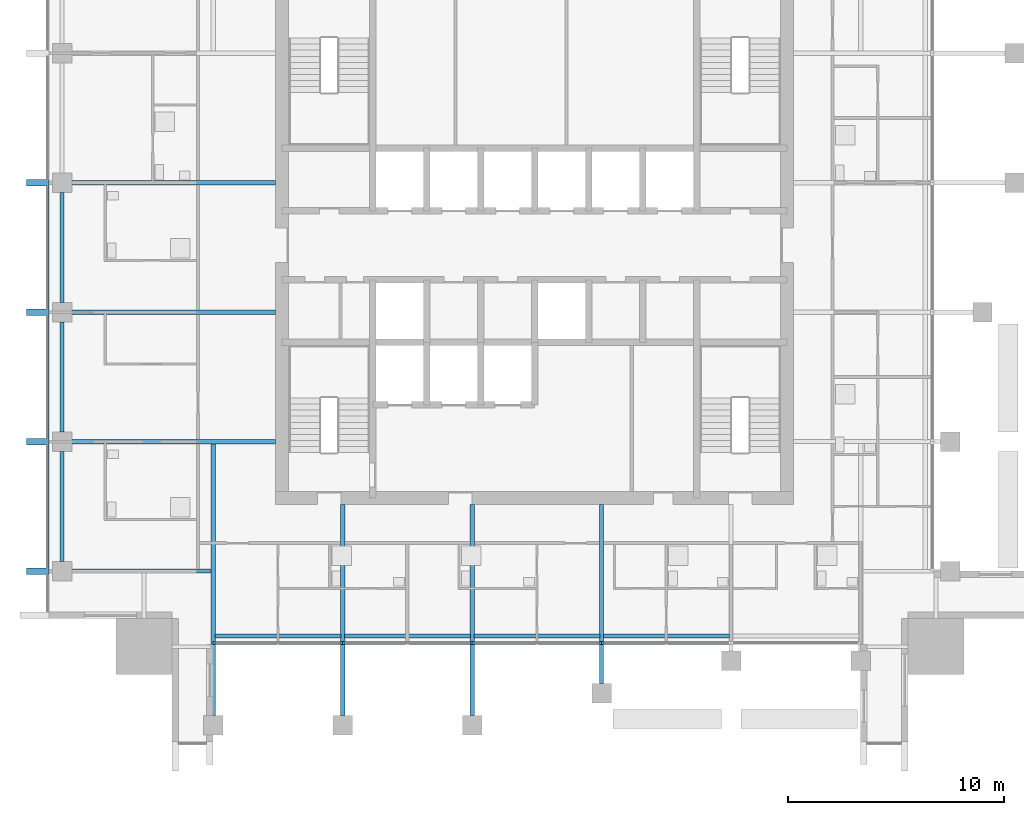
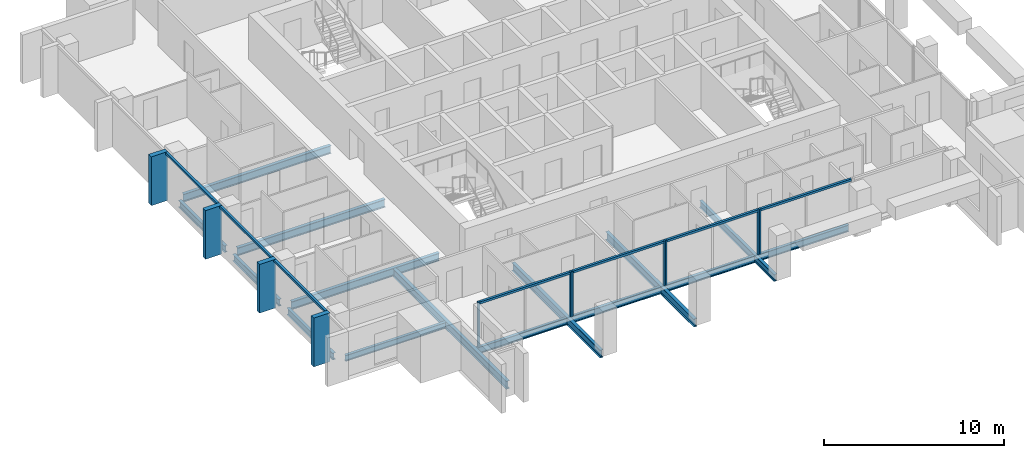
# One storey, part 2 of 14: 18 members, 15 beams, 5 elements without a shape of their own.
"""IFC4 building model written with IfcOpenShell, lengths in metres."""

import ifcopenshell
import ifcopenshell.guid

model = None  # the IFC model being written
_history = None  # IfcOwnerHistory: only IFC2X3 demands one
_inside = {}  # id of a spatial element -> (the spatial element, [elements in it])
_under = {}  # id of a project, library or spatial element -> (it, [spatial elements below it])
_declared = {}  # id of a project -> (the project, [libraries it declares])
_typed = {}  # id of a type object -> (the type object, [elements of that type])
_made_of = {}  # id of a material, layer set ... -> (it, [elements and type objects made of it])


def new_model(schema):
    """Start an empty IFC model of exactly this schema.

    Asked for "IFC4X3", IfcOpenShell would pick the latest addendum, in which some entities
    have other attributes; the version numbers below select the first issue.
    IFC2X3 requires an IfcOwnerHistory on every rooted entity: one is made here for all.
    """
    global model, _history
    if schema == "IFC4X3":
        model = ifcopenshell.file(schema_version=(4, 3, 0, 0))
    else:
        model = ifcopenshell.file(schema=schema)
    _inside.clear()
    _under.clear()
    _declared.clear()
    _typed.clear()
    _made_of.clear()
    _history = None
    if model.schema == "IFC2X3":
        org = make("IfcOrganization", Name="unknown")
        user = make(
            "IfcPersonAndOrganization",
            ThePerson=make("IfcPerson", FamilyName="unknown"),
            TheOrganization=org,
        )
        app = make(
            "IfcApplication",
            ApplicationDeveloper=org,
            Version="unknown",
            ApplicationFullName="unknown",
            ApplicationIdentifier="unknown",
        )
        _history = make(
            "IfcOwnerHistory",
            OwningUser=user,
            OwningApplication=app,
            ChangeAction="ADDED",
            CreationDate=0,
        )
    return model


def make(cls, **values):
    """One entity of the class cls with the attributes given. An attribute that is None is left unset."""
    return model.create_entity(
        cls, **{name: value for name, value in values.items() if value is not None}
    )


def rooted(cls, **values):
    """An entity with a GlobalId (a new one), such as an element, a storey or a relation."""
    return make(cls, GlobalId=ifcopenshell.guid.new(), OwnerHistory=_history, **values)


def si_unit(unit_type, name, prefix=None):
    """IfcSIUnit, for example si_unit("LENGTHUNIT", "METRE", prefix="MILLI")."""
    return make("IfcSIUnit", UnitType=unit_type, Prefix=prefix, Name=name)


def assignment(units):
    """IfcUnitAssignment: the units of a project."""
    return None if units is None else make("IfcUnitAssignment", Units=units)


def point(xyz):
    """IfcCartesianPoint."""
    return None if xyz is None else make("IfcCartesianPoint", Coordinates=xyz)


def direction(xyz):
    """IfcDirection."""
    return None if xyz is None else make("IfcDirection", DirectionRatios=xyz)


def frame(location, z_axis=None, x_axis=None):
    """IfcAxis2Placement3D, a coordinate frame: its origin and axes. An axis left out is left unset."""
    return make(
        "IfcAxis2Placement3D",
        Location=point(location),
        Axis=direction(z_axis),
        RefDirection=direction(x_axis),
    )


def frame_2d(location, x_axis=None):
    """IfcAxis2Placement2D, a coordinate frame in the plane: its origin and x axis."""
    return make(
        "IfcAxis2Placement2D", Location=point(location), RefDirection=direction(x_axis)
    )


def origin():
    """The frame at (0, 0, 0) with its axes left unset."""
    return frame((0.0, 0.0, 0.0))


def origin_2d():
    """The frame at (0, 0) in the plane with its x axis left unset."""
    return frame_2d((0.0, 0.0))


def place(relative_to, where):
    """IfcLocalPlacement: puts the frame where relative to a parent placement (None: the world)."""
    return make(
        "IfcLocalPlacement", PlacementRelTo=relative_to, RelativePlacement=where
    )


def context(
    kind, dimensions, precision=None, world=None, true_north=None, identifier=None
):
    """IfcGeometricRepresentationContext, for example the 3D "Model" context."""
    return make(
        "IfcGeometricRepresentationContext",
        ContextIdentifier=identifier,
        ContextType=kind,
        CoordinateSpaceDimension=dimensions,
        Precision=precision,
        WorldCoordinateSystem=world,
        TrueNorth=true_north,
    )


def subcontext(parent, identifier, kind, view, scale=None):
    """IfcGeometricRepresentationSubContext, for example "Body" below "Model"."""
    return make(
        "IfcGeometricRepresentationSubContext",
        ContextIdentifier=identifier,
        ContextType=kind,
        ParentContext=parent,
        TargetScale=scale,
        TargetView=view,
    )


def project(units=None, contexts=None):
    """IfcProject with its units and contexts."""
    return rooted(
        "IfcProject",
        Name="project",
        RepresentationContexts=contexts,
        UnitsInContext=assignment(units),
    )


def spatial(cls, under=None, at=None, **own):
    """A site, building, storey or space (cls), placed at a placement, below another one or the project."""
    s = rooted(cls, ObjectPlacement=at, **own)
    if under is not None:
        _under.setdefault(under.id(), (under, []))[1].append(s)
    return s


def profile(cls, at=None, kind="AREA", **sizes):
    """A parametric profile (cls). Its sizes go by their IFC names, for example OverallWidth=200.0."""
    return make(cls, ProfileType=kind, Position=at, **sizes)


def rectangle(**sizes):
    """IfcRectangleProfileDef."""
    return profile("IfcRectangleProfileDef", **sizes)


def i_section(**sizes):
    """IfcIShapeProfileDef."""
    return profile("IfcIShapeProfileDef", **sizes)


def extrude(swept, where, along, depth):
    """IfcExtrudedAreaSolid: the profile swept, set in the frame where, extruded along a direction by depth."""
    return make(
        "IfcExtrudedAreaSolid",
        SweptArea=swept,
        Position=where,
        ExtrudedDirection=direction(along),
        Depth=depth,
    )


def shape(context_of_items, identifier, shape_type, items):
    """IfcShapeRepresentation: the items that make up one representation, for example the "Body"."""
    return make(
        "IfcShapeRepresentation",
        ContextOfItems=context_of_items,
        RepresentationIdentifier=identifier,
        RepresentationType=shape_type,
        Items=items,
    )


def material(Name=None, Category=None):
    """IfcMaterial."""
    return make("IfcMaterial", Name=Name, Category=Category)


def material_profile(
    of_material, cross_section, Name=None, Category=None, Priority=None
):
    """IfcMaterialProfile: a cross section and its material."""
    return make(
        "IfcMaterialProfile",
        Name=Name,
        Material=of_material,
        Profile=cross_section,
        Priority=Priority,
        Category=Category,
    )


def profile_set(profiles, Name=None, composite=None):
    """IfcMaterialProfileSet."""
    return make(
        "IfcMaterialProfileSet",
        Name=Name,
        MaterialProfiles=profiles,
        CompositeProfile=composite,
    )


def made_of(thing, what):
    """Note that an element or type object is made of a material, layer set ...; save() writes the relation."""
    if what is not None:
        _made_of.setdefault(what.id(), (what, []))[1].append(thing)
    return thing


def type_object(cls, material=None, **own):
    """A type object (cls), such as IfcWallType, which elements share."""
    return made_of(rooted(cls, **own), material)


def element(
    cls,
    number,
    at=None,
    inside=None,
    cuts=None,
    type_object=None,
    material=None,
    context=None,
    identifier="Body",
    shape_type=None,
    held_by="IfcProductDefinitionShape",
    body=None,
    shapes=None,
    **own,
):
    """One element of the class cls, such as IfcWall. Its Tag is "e" and its number.

    at: its placement. inside: the storey or other place that contains it. cuts: it is an
    opening in that element (IfcRelVoidsElement). A single representation is given by context,
    identifier, shape_type and body (its items); several are given by shapes. held_by: the class
    of the entity that holds the representations. save() writes the other relations.
    """
    e = rooted(cls, Tag="e%d" % number, ObjectPlacement=at, **own)
    if body is not None:
        shapes = [shape(context, identifier, shape_type, body)]
    if shapes is not None:
        e.Representation = make(held_by, Representations=shapes)
    if inside is not None:
        _inside.setdefault(inside.id(), (inside, []))[1].append(e)
    if cuts is not None:
        rooted(
            "IfcRelVoidsElement", RelatingBuildingElement=cuts, RelatedOpeningElement=e
        )
    if type_object is not None:
        _typed.setdefault(type_object.id(), (type_object, []))[1].append(e)
    return made_of(e, material)


def aggregate(whole, parts):
    """IfcRelAggregates: a whole, such as a stair, and the parts it consists of."""
    return rooted("IfcRelAggregates", RelatingObject=whole, RelatedObjects=parts)


def save(model, path):
    """Write the relations noted so far, then the file.

    IfcRelAggregates (storeys below a building ...), IfcRelContainedInSpatialStructure (elements
    in a storey), IfcRelDefinesByType, IfcRelAssociatesMaterial and IfcRelDeclares: one each for
    every whole, place, type object, material and project.
    """
    for whole, parts in _under.values():
        aggregate(whole, parts)
    for where, things in _inside.values():
        rooted(
            "IfcRelContainedInSpatialStructure",
            RelatedElements=things,
            RelatingStructure=where,
        )
    for kind, things in _typed.values():
        rooted("IfcRelDefinesByType", RelatedObjects=things, RelatingType=kind)
    for what, things in _made_of.values():
        rooted("IfcRelAssociatesMaterial", RelatedObjects=things, RelatingMaterial=what)
    for by, libraries in _declared.values():
        rooted("IfcRelDeclares", RelatingContext=by, RelatedDefinitions=libraries)
    model.write(path)


model = new_model("IFC4")

# Units and contexts
model_context = context("Model", 3, precision=1e-05, world=origin(), true_north=direction((0.0, 1.0)))
body_context = subcontext(model_context, "Body", "Model", "MODEL_VIEW")
ifc_project = project(units=[si_unit("LENGTHUNIT", "METRE"), si_unit("AREAUNIT", "SQUARE_METRE"), si_unit("VOLUMEUNIT", "CUBIC_METRE"), si_unit("PLANEANGLEUNIT", "RADIAN"), si_unit("MASSUNIT", "GRAM", prefix="KILO")], contexts=[model_context])

# Site, building, storey
site_placement = place(None, origin())
site = spatial("IfcSite", under=ifc_project, at=site_placement, CompositionType="ELEMENT")
building_placement = place(site_placement, origin())
building = spatial("IfcBuilding", under=site, at=building_placement, Name="Amberfall Residences", CompositionType="ELEMENT")
storey_placement = place(building_placement, frame((0.0, 0.0, 220.0)))
storey = spatial("IfcBuildingStorey", under=building, at=storey_placement, Name="L59", CompositionType="ELEMENT", Elevation=220.0)

# Curtain wall, members
ifc_material_1 = material(Name="Bronze anodised aluminium and glass", Category="aluminium")
curtain_wall_type_1 = type_object("IfcCurtainWallType", Name="Curtain wall CW1 tower unit", PredefinedType="USERDEFINED", material=ifc_material_1)
curtain_wall_1_placement = place(storey_placement, origin())
curtain_wall_1 = element("IfcCurtainWall", 1, at=curtain_wall_1_placement, inside=storey, type_object=curtain_wall_type_1, Name="Curtain wall L59 W W1", ObjectType="UNITISED CURTAIN WALL", PredefinedType="USERDEFINED")
ifc_material_2 = material(Name="Bronze anodised aluminium", Category="aluminium")
ifc_material_profile_1 = material_profile(ifc_material_2, rectangle(XDim=0.14990234375, YDim=0.14990234375, at=origin_2d()), Name="CW1 transom 150 x 150 bronze")
ifc_profile_set_1 = profile_set([ifc_material_profile_1], Name="Bronze anodised aluminium")
member_type_1 = type_object("IfcMemberType", Name="CW1 transom 150 x 150 bronze", PredefinedType="USERDEFINED", material=ifc_profile_set_1)
member_1_placement = place(storey_placement, frame((51.925048828125, 48.25, 2.97509765625), z_axis=(0.0, -1.0, 0.0), x_axis=(1.0, 0.0, 0.0)))
member_1 = element("IfcMember", 2, at=member_1_placement, type_object=member_type_1, Name="CW1 transom 4.1", ObjectType="TRANSOM", PredefinedType="USERDEFINED", context=body_context, shape_type="SweptSolid", body=[
    extrude(rectangle(XDim=0.14990234375, YDim=0.14990234375, at=origin_2d()), origin(), (0.0, 0.0, 1.0), 5.699951171875),
])
member_2_placement = place(storey_placement, frame((51.925048828125, 42.25, 2.97509765625), z_axis=(0.0, -1.0, 0.0), x_axis=(1.0, 0.0, 0.0)))
member_2 = element("IfcMember", 3, at=member_2_placement, type_object=member_type_1, Name="CW1 transom 5.1", ObjectType="TRANSOM", PredefinedType="USERDEFINED", context=body_context, shape_type="SweptSolid", body=[
    extrude(rectangle(XDim=0.14990234375, YDim=0.14990234375, at=origin_2d()), origin(), (0.0, 0.0, 1.0), 5.699951171875),
])
member_3_placement = place(storey_placement, frame((51.925048828125, 36.25, 2.97509765625), z_axis=(0.0, -1.0, 0.0), x_axis=(1.0, 0.0, 0.0)))
member_3 = element("IfcMember", 4, at=member_3_placement, type_object=member_type_1, Name="CW1 transom 6.1", ObjectType="TRANSOM", PredefinedType="USERDEFINED", context=body_context, shape_type="SweptSolid", body=[
    extrude(rectangle(XDim=0.14990234375, YDim=0.14990234375, at=origin_2d()), origin(), (0.0, 0.0, 1.0), 5.699951171875),
])

curtain_wall_type_2 = type_object("IfcCurtainWallType", Name="Curtain wall CW3 sky garden glazing", PredefinedType="USERDEFINED", material=ifc_material_1)
curtain_wall_2_placement = place(storey_placement, origin())
curtain_wall_2 = element("IfcCurtainWall", 5, at=curtain_wall_2_placement, inside=storey, type_object=curtain_wall_type_2, Name="Curtain wall L59 S S3", ObjectType="UNITISED CURTAIN WALL", PredefinedType="USERDEFINED")
ifc_material_profile_2 = material_profile(ifc_material_2, rectangle(XDim=0.14990234375, YDim=0.10009765625, at=origin_2d()), Name="CW3 mullion 100 x 150 bronze")
ifc_profile_set_2 = profile_set([ifc_material_profile_2], Name="Bronze anodised aluminium")
member_type_2 = type_object("IfcMemberType", Name="CW3 mullion 100 x 150 bronze", PredefinedType="MULLION", material=ifc_profile_set_2)
member_4_placement = place(storey_placement, frame((59.64990234375, 27.074951171875, 0.0), z_axis=(0.0, 0.0, 1.0), x_axis=(0.0, 1.0, 0.0)))
member_4 = element("IfcMember", 6, at=member_4_placement, type_object=member_type_2, Name="CW3 mullion 1", PredefinedType="MULLION", context=body_context, shape_type="SweptSolid", body=[
    extrude(rectangle(XDim=0.14990234375, YDim=0.10009765625, at=origin_2d()), origin(), (0.0, 0.0, 1.0), 3.050048828125),
])
member_5_placement = place(storey_placement, frame((65.550048828125, 27.074951171875, 0.0), z_axis=(0.0, 0.0, 1.0), x_axis=(0.0, 1.0, 0.0)))
member_5 = element("IfcMember", 7, at=member_5_placement, type_object=member_type_2, Name="CW3 mullion 2", PredefinedType="MULLION", context=body_context, shape_type="SweptSolid", body=[
    extrude(rectangle(XDim=0.14990234375, YDim=0.10009765625, at=origin_2d()), origin(), (0.0, 0.0, 1.0), 3.050048828125),
])

curtain_wall_3_placement = place(storey_placement, origin())
curtain_wall_3 = element("IfcCurtainWall", 8, at=curtain_wall_3_placement, inside=storey, type_object=curtain_wall_type_2, Name="Curtain wall L59 S S4", ObjectType="UNITISED CURTAIN WALL", PredefinedType="USERDEFINED")
member_6_placement = place(storey_placement, frame((65.64990234375, 27.074951171875, 0.0), z_axis=(0.0, 0.0, 1.0), x_axis=(0.0, 1.0, 0.0)))
member_6 = element("IfcMember", 9, at=member_6_placement, type_object=member_type_2, Name="CW3 mullion 1", PredefinedType="MULLION", context=body_context, shape_type="SweptSolid", body=[
    extrude(rectangle(XDim=0.14990234375, YDim=0.10009765625, at=origin_2d()), origin(), (0.0, 0.0, 1.0), 3.050048828125),
])
member_7_placement = place(storey_placement, frame((71.550048828125, 27.074951171875, 0.0), z_axis=(0.0, 0.0, 1.0), x_axis=(0.0, 1.0, 0.0)))
member_7 = element("IfcMember", 10, at=member_7_placement, type_object=member_type_2, Name="CW3 mullion 2", PredefinedType="MULLION", context=body_context, shape_type="SweptSolid", body=[
    extrude(rectangle(XDim=0.14990234375, YDim=0.10009765625, at=origin_2d()), origin(), (0.0, 0.0, 1.0), 3.050048828125),
])

curtain_wall_4_placement = place(storey_placement, origin())
curtain_wall_4 = element("IfcCurtainWall", 11, at=curtain_wall_4_placement, inside=storey, type_object=curtain_wall_type_2, Name="Curtain wall L59 S S5", ObjectType="UNITISED CURTAIN WALL", PredefinedType="USERDEFINED")
member_8_placement = place(storey_placement, frame((71.64990234375, 27.074951171875, 0.0), z_axis=(0.0, 0.0, 1.0), x_axis=(0.0, 1.0, 0.0)))
member_8 = element("IfcMember", 12, at=member_8_placement, type_object=member_type_2, Name="CW3 mullion 1", PredefinedType="MULLION", context=body_context, shape_type="SweptSolid", body=[
    extrude(rectangle(XDim=0.14990234375, YDim=0.10009765625, at=origin_2d()), origin(), (0.0, 0.0, 1.0), 3.050048828125),
])
member_9_placement = place(storey_placement, frame((77.550048828125, 27.074951171875, 0.0), z_axis=(0.0, 0.0, 1.0), x_axis=(0.0, 1.0, 0.0)))
member_9 = element("IfcMember", 13, at=member_9_placement, type_object=member_type_2, Name="CW3 mullion 2", PredefinedType="MULLION", context=body_context, shape_type="SweptSolid", body=[
    extrude(rectangle(XDim=0.14990234375, YDim=0.10009765625, at=origin_2d()), origin(), (0.0, 0.0, 1.0), 3.050048828125),
])

# Curtain wall, member
curtain_wall_5_placement = place(storey_placement, origin())
curtain_wall_5 = element("IfcCurtainWall", 14, at=curtain_wall_5_placement, inside=storey, type_object=curtain_wall_type_2, Name="Curtain wall L59 S S6", ObjectType="UNITISED CURTAIN WALL", PredefinedType="USERDEFINED")
member_10_placement = place(storey_placement, frame((77.64990234375, 27.074951171875, 0.0), z_axis=(0.0, 0.0, 1.0), x_axis=(0.0, 1.0, 0.0)))
member_10 = element("IfcMember", 15, at=member_10_placement, type_object=member_type_2, Name="CW3 mullion 1", PredefinedType="MULLION", context=body_context, shape_type="SweptSolid", body=[
    extrude(rectangle(XDim=0.14990234375, YDim=0.10009765625, at=origin_2d()), origin(), (0.0, 0.0, 1.0), 3.050048828125),
])

# Member
ifc_material_profile_3 = material_profile(ifc_material_2, rectangle(XDim=0.14990234375, YDim=0.14990234375, at=origin_2d()), Name="CW3 transom 150 x 150 bronze")
ifc_profile_set_3 = profile_set([ifc_material_profile_3], Name="Bronze anodised aluminium")
member_type_3 = type_object("IfcMemberType", Name="CW3 transom 150 x 150 bronze", PredefinedType="USERDEFINED", material=ifc_profile_set_3)
member_11_placement = place(storey_placement, frame((59.699951171875, 27.074951171875, 2.97509765625), z_axis=(1.0, 0.0, 0.0), x_axis=(0.0, 1.0, 0.0)))
member_11 = element("IfcMember", 16, at=member_11_placement, type_object=member_type_3, Name="CW3 transom 1.1", ObjectType="TRANSOM", PredefinedType="USERDEFINED", context=body_context, shape_type="SweptSolid", body=[
    extrude(rectangle(XDim=0.14990234375, YDim=0.14990234375, at=origin_2d()), origin(), (0.0, 0.0, 1.0), 5.800048828125),
])

aggregate(curtain_wall_2, [member_4, member_5, member_11])

member_12_placement = place(storey_placement, frame((65.699951171875, 27.074951171875, 2.97509765625), z_axis=(1.0, 0.0, 0.0), x_axis=(0.0, 1.0, 0.0)))
member_12 = element("IfcMember", 17, at=member_12_placement, type_object=member_type_3, Name="CW3 transom 1.1", ObjectType="TRANSOM", PredefinedType="USERDEFINED", context=body_context, shape_type="SweptSolid", body=[
    extrude(rectangle(XDim=0.14990234375, YDim=0.14990234375, at=origin_2d()), origin(), (0.0, 0.0, 1.0), 5.800048828125),
])

aggregate(curtain_wall_3, [member_6, member_7, member_12])

member_13_placement = place(storey_placement, frame((71.699951171875, 27.074951171875, 2.97509765625), z_axis=(1.0, 0.0, 0.0), x_axis=(0.0, 1.0, 0.0)))
member_13 = element("IfcMember", 18, at=member_13_placement, type_object=member_type_3, Name="CW3 transom 1.1", ObjectType="TRANSOM", PredefinedType="USERDEFINED", context=body_context, shape_type="SweptSolid", body=[
    extrude(rectangle(XDim=0.14990234375, YDim=0.14990234375, at=origin_2d()), origin(), (0.0, 0.0, 1.0), 5.800048828125),
])

aggregate(curtain_wall_4, [member_8, member_9, member_13])

member_14_placement = place(storey_placement, frame((77.699951171875, 27.074951171875, 2.97509765625), z_axis=(1.0, 0.0, 0.0), x_axis=(0.0, 1.0, 0.0)))
member_14 = element("IfcMember", 19, at=member_14_placement, type_object=member_type_3, Name="CW3 transom 1.1", ObjectType="TRANSOM", PredefinedType="USERDEFINED", context=body_context, shape_type="SweptSolid", body=[
    extrude(rectangle(XDim=0.14990234375, YDim=0.14990234375, at=origin_2d()), origin(), (0.0, 0.0, 1.0), 5.800048828125),
])

aggregate(curtain_wall_5, [member_10, member_14])

# Beams
ifc_material_3 = material(Name="Steel S355", Category="steel")
ifc_material_profile_4 = material_profile(ifc_material_3, i_section(OverallWidth=0.18994140625, OverallDepth=0.453369140625, WebThickness=0.008544921875, FlangeThickness=0.0126953125, FilletRadius=0.01025390625, at=origin_2d()), Name="UB 457x191x67")
ifc_profile_set_4 = profile_set([ifc_material_profile_4], Name="Steel S355")
beam_type_1 = type_object("IfcBeamType", Name="Edge beam UB 457x191x67", PredefinedType="SPANDREL", material=ifc_profile_set_4)
for number, where, z_axis, x_axis, name in (
    (20, (59.679931640625, 27.39990234375, -0.476806640625), (1.0, 0.0, 0.0), (0.0, 1.0, 0.0), "Edge beam B1 L59 01"),
    (21, (65.679931640625, 27.39990234375, -0.476806640625), (1.0, 0.0, 0.0), (0.0, 1.0, 0.0), "Edge beam B1 L59 02"),
    (22, (71.679931640625, 27.39990234375, -0.476806640625), (1.0, 0.0, 0.0), (0.0, 1.0, 0.0), "Edge beam B1 L59 03"),
    (23, (77.679931640625, 27.39990234375, -0.476806640625), (1.0, 0.0, 0.0), (0.0, 1.0, 0.0), "Edge beam B1 L59 04"),
):
    element("IfcBeam", number, at=place(storey_placement, frame(where, z_axis=z_axis, x_axis=x_axis)), inside=storey, type_object=beam_type_1, Name=name, PredefinedType="SPANDREL", context=body_context, shape_type="SweptSolid", body=[
        extrude(i_section(OverallWidth=0.18994140625, OverallDepth=0.453369140625, WebThickness=0.008544921875, FlangeThickness=0.0126953125, FilletRadius=0.01025390625, at=origin_2d()), origin(), (0.0, 0.0, 1.0), 5.840087890625),
    ])
for number, where, z_axis, x_axis, name in (
    (24, (52.60009765625, 30.85009765625, -0.476806640625), (0.0, 1.0, 0.0), (-1.0, 0.0, 0.0), "Edge beam B1 L59 34"),
    (25, (52.60009765625, 36.85009765625, -0.476806640625), (0.0, 1.0, 0.0), (-1.0, 0.0, 0.0), "Edge beam B1 L59 35"),
    (26, (52.60009765625, 42.85009765625, -0.476806640625), (0.0, 1.0, 0.0), (-1.0, 0.0, 0.0), "Edge beam B1 L59 36"),
):
    element("IfcBeam", number, at=place(storey_placement, frame(where, z_axis=z_axis, x_axis=x_axis)), inside=storey, type_object=beam_type_1, Name=name, PredefinedType="SPANDREL", context=body_context, shape_type="SweptSolid", body=[
        extrude(i_section(OverallWidth=0.18994140625, OverallDepth=0.453369140625, WebThickness=0.008544921875, FlangeThickness=0.0126953125, FilletRadius=0.01025390625, at=origin_2d()), origin(), (0.0, 0.0, 1.0), 5.099853515625),
    ])

# Member
ifc_material_profile_5 = material_profile(ifc_material_2, rectangle(XDim=1.050048828125, YDim=0.300048828125, at=origin_2d()), Name="Fin 300 x 1050 bronze")
ifc_profile_set_5 = profile_set([ifc_material_profile_5], Name="Bronze anodised aluminium")
member_type_4 = type_object("IfcMemberType", Name="Fin 300 x 1050 bronze", PredefinedType="MULLION", material=ifc_profile_set_5)
member_15_placement = place(storey_placement, frame((51.47509765625, 48.39990234375, -0.25), z_axis=(0.0, 0.0, 1.0), x_axis=(1.0, 0.0, 0.0)))
member_15 = element("IfcMember", 27, at=member_15_placement, type_object=member_type_4, Name="CW FIN 4", PredefinedType="MULLION", context=body_context, shape_type="SweptSolid", body=[
    extrude(rectangle(XDim=1.050048828125, YDim=0.300048828125, at=origin_2d()), origin(), (0.0, 0.0, 1.0), 3.300048828125),
])

member_16_placement = place(storey_placement, frame((51.47509765625, 42.39990234375, -0.25), z_axis=(0.0, 0.0, 1.0), x_axis=(1.0, 0.0, 0.0)))
member_16 = element("IfcMember", 28, at=member_16_placement, type_object=member_type_4, Name="CW FIN 5", PredefinedType="MULLION", context=body_context, shape_type="SweptSolid", body=[
    extrude(rectangle(XDim=1.050048828125, YDim=0.300048828125, at=origin_2d()), origin(), (0.0, 0.0, 1.0), 3.300048828125),
])

member_17_placement = place(storey_placement, frame((51.47509765625, 36.39990234375, -0.25), z_axis=(0.0, 0.0, 1.0), x_axis=(1.0, 0.0, 0.0)))
member_17 = element("IfcMember", 29, at=member_17_placement, type_object=member_type_4, Name="CW FIN 6", PredefinedType="MULLION", context=body_context, shape_type="SweptSolid", body=[
    extrude(rectangle(XDim=1.050048828125, YDim=0.300048828125, at=origin_2d()), origin(), (0.0, 0.0, 1.0), 3.300048828125),
])

member_18_placement = place(storey_placement, frame((51.47509765625, 30.39990234375, -0.25), z_axis=(0.0, 0.0, 1.0), x_axis=(1.0, 0.0, 0.0)))
member_18 = element("IfcMember", 30, at=member_18_placement, type_object=member_type_4, Name="CW FIN 7", PredefinedType="MULLION", context=body_context, shape_type="SweptSolid", body=[
    extrude(rectangle(XDim=1.050048828125, YDim=0.300048828125, at=origin_2d()), origin(), (0.0, 0.0, 1.0), 3.300048828125),
])

aggregate(curtain_wall_1, [member_15, member_16, member_17, member_18, member_1, member_2, member_3])

# Beams
ifc_material_profile_6 = material_profile(ifc_material_3, i_section(OverallWidth=0.177734375, OverallDepth=0.402587890625, WebThickness=0.0078125, FlangeThickness=0.010986328125, FilletRadius=0.01025390625, at=origin_2d()), Name="UB 406x178x54")
ifc_profile_set_6 = profile_set([ifc_material_profile_6], Name="Steel S355")
beam_type_2 = type_object("IfcBeamType", Name="Floor girder UB 406x178x54", PredefinedType="BEAM", material=ifc_profile_set_6)
beam_1_placement = place(storey_placement, frame((53.050048828125, 30.39990234375, -0.451416015625), z_axis=(1.0, 0.0, 0.0), x_axis=(0.0, 1.0, 0.0)))
element("IfcBeam", 31, at=beam_1_placement, inside=storey, type_object=beam_type_2, Name="Floor girder B4 L59 39", PredefinedType="BEAM", context=body_context, shape_type="SweptSolid", body=[
    extrude(i_section(OverallWidth=0.177734375, OverallDepth=0.402587890625, WebThickness=0.0078125, FlangeThickness=0.010986328125, FilletRadius=0.01025390625, at=origin_2d()), origin(), (0.0, 0.0, 1.0), 6.429931640625),
])
ifc_material_profile_7 = material_profile(ifc_material_3, i_section(OverallWidth=0.19140625, OverallDepth=0.4599609375, WebThickness=0.010009765625, FlangeThickness=0.01611328125, FilletRadius=0.01025390625, at=origin_2d()), Name="UB 457x191x82")
ifc_profile_set_7 = profile_set([ifc_material_profile_7], Name="Steel S355")
beam_type_3 = type_object("IfcBeamType", Name="Floor girder UB 457x191x82", PredefinedType="BEAM", material=ifc_profile_set_7)
beam_2_placement = place(storey_placement, frame((77.60009765625, 25.199951171875, -0.47998046875), z_axis=(0.0, 1.0, 0.0), x_axis=(-1.0, 0.0, 0.0)))
element("IfcBeam", 32, at=beam_2_placement, inside=storey, type_object=beam_type_3, Name="Floor girder B10 L59 09", PredefinedType="BEAM", context=body_context, shape_type="SweptSolid", body=[
    extrude(i_section(OverallWidth=0.19140625, OverallDepth=0.4599609375, WebThickness=0.010009765625, FlangeThickness=0.01611328125, FilletRadius=0.01025390625, at=origin_2d()), origin(), (0.0, 0.0, 1.0), 8.300048828125),
])
ifc_material_profile_8 = material_profile(ifc_material_3, i_section(OverallWidth=0.210693359375, OverallDepth=0.53955078125, WebThickness=0.01171875, FlangeThickness=0.018798828125, FilletRadius=0.0126953125, at=origin_2d()), Name="UB 533x210x109")
ifc_profile_set_8 = profile_set([ifc_material_profile_8], Name="Steel S355")
beam_type_4 = type_object("IfcBeamType", Name="Floor girder UB 533x210x109", PredefinedType="BEAM", material=ifc_profile_set_8)
beam_3_placement = place(storey_placement, frame((59.60009765625, 23.699951171875, -0.519775390625), z_axis=(0.0, 1.0, 0.0), x_axis=(-1.0, 0.0, 0.0)))
element("IfcBeam", 33, at=beam_3_placement, inside=storey, type_object=beam_type_4, Name="Floor girder B2 L59 06", PredefinedType="BEAM", context=body_context, shape_type="SweptSolid", body=[
    extrude(i_section(OverallWidth=0.210693359375, OverallDepth=0.53955078125, WebThickness=0.01171875, FlangeThickness=0.018798828125, FilletRadius=0.0126953125, at=origin_2d()), origin(), (0.0, 0.0, 1.0), 12.600341796875),
])
ifc_material_profile_9 = material_profile(ifc_material_3, i_section(OverallWidth=0.209228515625, OverallDepth=0.533203125, WebThickness=0.010009765625, FlangeThickness=0.015625, FilletRadius=0.0126953125, at=origin_2d()), Name="UB 533x210x92")
ifc_profile_set_9 = profile_set([ifc_material_profile_9], Name="Steel S355")
beam_type_5 = type_object("IfcBeamType", Name="Floor girder UB 533x210x92", PredefinedType="BEAM", material=ifc_profile_set_9)
for number, where, z_axis, x_axis, name in (
    (34, (65.60009765625, 23.699951171875, -0.5166015625), (0.0, 1.0, 0.0), (-1.0, 0.0, 0.0), "Floor girder B3 L59 07"),
    (35, (71.60009765625, 23.699951171875, -0.5166015625), (0.0, 1.0, 0.0), (-1.0, 0.0, 0.0), "Floor girder B3 L59 08"),
):
    element("IfcBeam", number, at=place(storey_placement, frame(where, z_axis=z_axis, x_axis=x_axis)), inside=storey, type_object=beam_type_5, Name=name, PredefinedType="BEAM", context=body_context, shape_type="SweptSolid", body=[
        extrude(i_section(OverallWidth=0.209228515625, OverallDepth=0.533203125, WebThickness=0.010009765625, FlangeThickness=0.015625, FilletRadius=0.0126953125, at=origin_2d()), origin(), (0.0, 0.0, 1.0), 9.800048828125),
    ])
for number, where, z_axis, x_axis, name in (
    (36, (53.050048828125, 36.39990234375, -0.5166015625), (1.0, 0.0, 0.0), (0.0, 1.0, 0.0), "Floor girder B3 L59 40"),
    (37, (53.050048828125, 42.39990234375, -0.5166015625), (1.0, 0.0, 0.0), (0.0, 1.0, 0.0), "Floor girder B3 L59 41"),
    (38, (53.050048828125, 48.39990234375, -0.5166015625), (1.0, 0.0, 0.0), (0.0, 1.0, 0.0), "Floor girder B3 L59 42"),
):
    element("IfcBeam", number, at=place(storey_placement, frame(where, z_axis=z_axis, x_axis=x_axis)), inside=storey, type_object=beam_type_5, Name=name, PredefinedType="BEAM", context=body_context, shape_type="SweptSolid", body=[
        extrude(i_section(OverallWidth=0.209228515625, OverallDepth=0.533203125, WebThickness=0.010009765625, FlangeThickness=0.015625, FilletRadius=0.0126953125, at=origin_2d()), origin(), (0.0, 0.0, 1.0), 9.449951171875),
    ])

save(model, "model.ifc")
